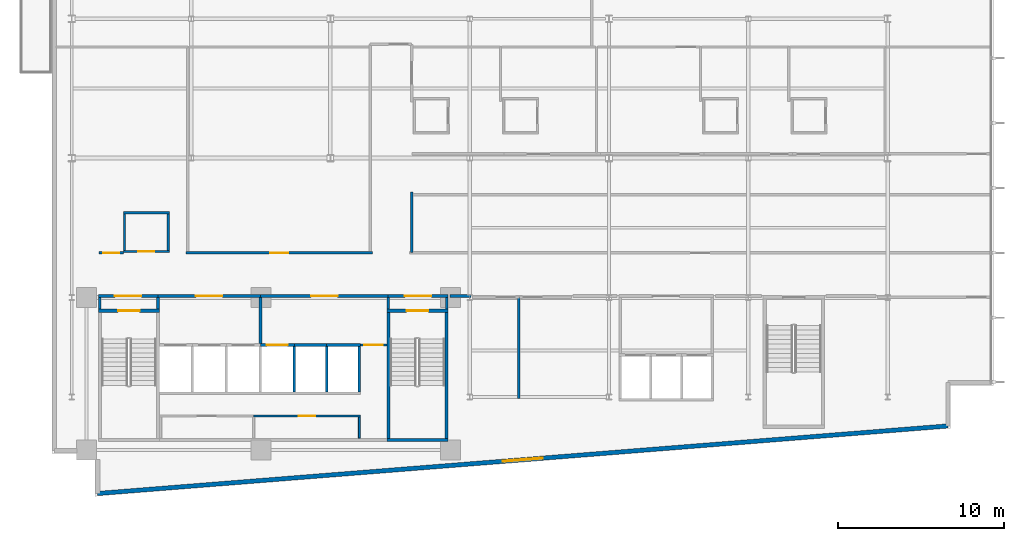
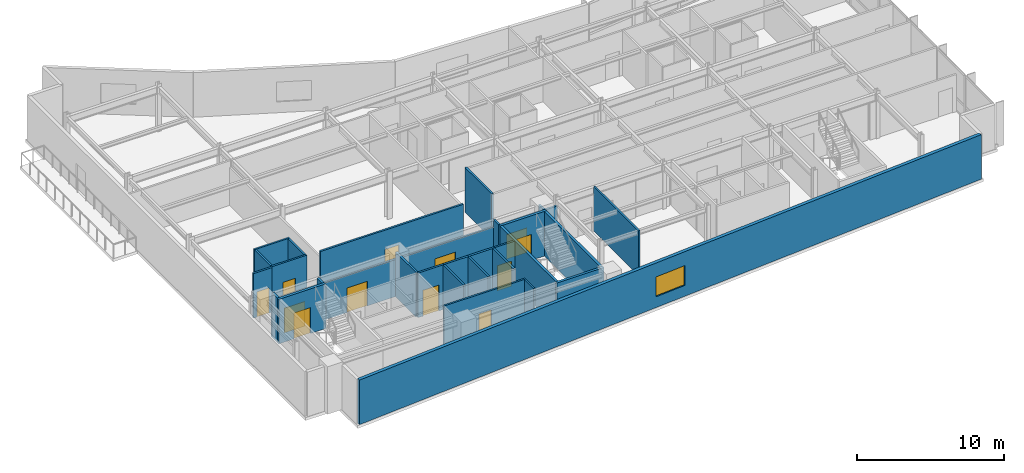
# One storey, part 10 of 18: 33 walls, 12 doors, 1 window, 13 openings.
"""IFC4 building model written with IfcOpenShell, lengths in metres."""

from ifc_helpers import new_model, si_unit, direction, frame, frame_2d, origin, place, context, subcontext, project, spatial, rectangle, extrude, material, layer, layer_set, type_object, element, fill, save


model = new_model("IFC4")

# Units and contexts
model_context = context("Model", 3, precision=1e-05, world=origin(), true_north=direction((0.0, 1.0)))
body_context = subcontext(model_context, "Body", "Model", "MODEL_VIEW")
ifc_project = project(units=[si_unit("LENGTHUNIT", "METRE"), si_unit("AREAUNIT", "SQUARE_METRE"), si_unit("VOLUMEUNIT", "CUBIC_METRE"), si_unit("PLANEANGLEUNIT", "RADIAN"), si_unit("MASSUNIT", "GRAM", prefix="KILO")], contexts=[model_context])

# Site, building, storey
site_placement = place(None, origin())
site = spatial("IfcSite", under=ifc_project, at=site_placement, CompositionType="ELEMENT")
building_placement = place(site_placement, origin())
building = spatial("IfcBuilding", under=site, at=building_placement, Name="Varnakote Quay Hospital", CompositionType="ELEMENT")
storey_placement = place(building_placement, frame((0.0, 0.0, 142.85009765625)))
storey = spatial("IfcBuildingStorey", under=building, at=storey_placement, Name="L35", CompositionType="ELEMENT", Elevation=142.85009765625)

# Wall
ifc_material_1 = material(Name="Fire-rated acoustic gypsum stud wall", Category="gypsum")
ifc_layer_1 = layer(ifc_material_1, 0.159912109375)
ifc_layer_set_1 = layer_set([ifc_layer_1], Name="Fire-rated acoustic gypsum stud wall")
wall_type_1 = type_object("IfcWallType", Name="WL-COMP-160", PredefinedType="PARTITIONING", material=ifc_layer_set_1)
wall_1_placement = place(storey_placement, frame((2.8798828125, 11.300048828125, 0.0), z_axis=(0.0, 0.0, 1.0), x_axis=(0.0, 1.0, 0.0)))
element("IfcWall", 1, at=wall_1_placement, inside=storey, type_object=wall_type_1, Name="L35 West Stair Vestibule West Wall", PredefinedType="PARTITIONING", context=body_context, shape_type="SweptSolid", body=[
    extrude(rectangle(XDim=0.699951171875, YDim=0.159912109375, at=frame_2d((0.35009765625, 0.0))), origin(), (0.0, 0.0, 1.0), 3.7099609375),
])

# Wall, opening, door
wall_2_placement = place(storey_placement, frame((2.800048828125, 12.080078125, 0.0), z_axis=(0.0, 0.0, 1.0), x_axis=(1.0, 0.0, 0.0)))
wall_2 = element("IfcWall", 2, at=wall_2_placement, inside=storey, type_object=wall_type_1, Name="L35 West Stair Vestibule Smoke Wall", PredefinedType="PARTITIONING", context=body_context, shape_type="SweptSolid", body=[
    extrude(rectangle(XDim=3.599853515625, YDim=0.159912109375, at=frame_2d((1.7998046875, 0.0))), origin(), (0.0, 0.0, 1.0), 3.0830078125),
])
opening_1_placement = place(wall_2_placement, frame((1.0, 0.0, 0.0)))
opening_1 = element("IfcOpeningElement", 3, at=opening_1_placement, cuts=wall_2, Name="Opening D-ST1L-L35", PredefinedType="OPENING", context=body_context, shape_type="SweptSolid", body=[
    extrude(rectangle(XDim=1.60009765625, YDim=2.050048828125, at=frame_2d((0.800048828125, 1.02490234375))), frame((0.0, 0.08984375, 0.0), z_axis=(0.0, -1.0, 0.0), x_axis=(1.0, 0.0, 0.0)), (0.0, 0.0, 1.0), 0.179931640625),
])
ifc_material_2 = material(Name="Fire-rated double smoke lobby door")
door_type_1 = type_object("IfcDoorType", Name="DR-LOBBY-FD60S-1600x2150", OperationType="NOTDEFINED", PredefinedType="DOOR", material=ifc_material_2)
door_1_placement = place(opening_1_placement, origin())
door_1 = element("IfcDoor", 4, at=door_1_placement, inside=storey, type_object=door_type_1, Name="L35 West Stair Vestibule Smoke Door", OperationType="DOUBLE_DOOR_SINGLE_SWING", OverallHeight=2.050048828125, OverallWidth=1.60009765625, PredefinedType="DOOR", context=body_context, shape_type="SweptSolid", body=[
    extrude(rectangle(XDim=1.60009765625, YDim=2.050048828125, at=frame_2d((0.800048828125, 1.02490234375))), frame((0.0, 0.02490234375, 0.0), z_axis=(0.0, -1.0, 0.0), x_axis=(1.0, 0.0, 0.0)), (0.0, 0.0, 1.0), 0.050048828125),
])
fill(opening_1, door_1)

# Wall
wall_3_placement = place(storey_placement, frame((6.39990234375, 11.300048828125, 0.0), z_axis=(0.0, 0.0, 1.0), x_axis=(0.0, 1.0, 0.0)))
element("IfcWall", 5, at=wall_3_placement, inside=storey, type_object=wall_type_1, Name="L35 Firefighting Lobby West Wall", PredefinedType="PARTITIONING", context=body_context, shape_type="SweptSolid", body=[
    extrude(rectangle(XDim=0.699951171875, YDim=0.159912109375, at=frame_2d((0.35009765625, 0.0))), origin(), (0.0, 0.0, 1.0), 3.7099609375),
])

# Wall, opening, door
wall_4_placement = place(storey_placement, frame((6.39990234375, 12.080078125, 0.0), z_axis=(0.0, 0.0, 1.0), x_axis=(1.0, 0.0, 0.0)))
wall_4 = element("IfcWall", 6, at=wall_4_placement, inside=storey, type_object=wall_type_1, Name="L35 Firefighting Lift Lobby Compartment Wall", PredefinedType="PARTITIONING", context=body_context, shape_type="SweptSolid", body=[
    extrude(rectangle(XDim=6.18017578125, YDim=0.159912109375, at=frame_2d((3.090087890625, 0.0))), origin(), (0.0, 0.0, 1.0), 3.0830078125),
])
opening_2_placement = place(wall_4_placement, frame((2.2900390625, 0.0, 0.0)))
opening_2 = element("IfcOpeningElement", 7, at=opening_2_placement, cuts=wall_4, Name="Opening D-FFL-L35", PredefinedType="OPENING", context=body_context, shape_type="SweptSolid", body=[
    extrude(rectangle(XDim=1.60009765625, YDim=2.050048828125, at=frame_2d((0.800048828125, 1.02490234375))), frame((0.0, 0.08984375, 0.0), z_axis=(0.0, -1.0, 0.0), x_axis=(1.0, 0.0, 0.0)), (0.0, 0.0, 1.0), 0.179931640625),
])
door_2_placement = place(opening_2_placement, origin())
door_2 = element("IfcDoor", 8, at=door_2_placement, inside=storey, type_object=door_type_1, Name="L35 Firefighting Smoke Vestibule Door", OperationType="DOUBLE_DOOR_SINGLE_SWING", OverallHeight=2.050048828125, OverallWidth=1.60009765625, PredefinedType="DOOR", context=body_context, shape_type="SweptSolid", body=[
    extrude(rectangle(XDim=1.60009765625, YDim=2.050048828125, at=frame_2d((0.800048828125, 1.02490234375))), frame((0.0, 0.02490234375, 0.0), z_axis=(0.0, -1.0, 0.0), x_axis=(1.0, 0.0, 0.0)), (0.0, 0.0, 1.0), 0.050048828125),
])
fill(opening_2, door_2)

# Wall
wall_5_placement = place(storey_placement, frame((12.580078125, 9.2099609375, 0.0), z_axis=(0.0, 0.0, 1.0), x_axis=(0.0, 1.0, 0.0)))
element("IfcWall", 9, at=wall_5_placement, inside=storey, type_object=wall_type_1, Name="L35 Firefighting to Service Lobby Wall", PredefinedType="PARTITIONING", context=body_context, shape_type="SweptSolid", body=[
    extrude(rectangle(XDim=2.7900390625, YDim=0.159912109375, at=frame_2d((1.39501953125, 0.0))), origin(), (0.0, 0.0, 1.0), 3.7099609375),
])

# Wall, opening, door
wall_6_placement = place(storey_placement, frame((12.580078125, 12.080078125, 0.0), z_axis=(0.0, 0.0, 1.0), x_axis=(1.0, 0.0, 0.0)))
wall_6 = element("IfcWall", 10, at=wall_6_placement, inside=storey, type_object=wall_type_1, Name="L35 Clinical Bed Lift Lobby Wall", PredefinedType="PARTITIONING", context=body_context, shape_type="SweptSolid", body=[
    extrude(rectangle(XDim=7.699951171875, YDim=0.159912109375, at=frame_2d((3.85009765625, 0.0))), origin(), (0.0, 0.0, 1.0), 3.0830078125),
])
opening_3_placement = place(wall_6_placement, frame((3.050048828125, 0.0, 0.0)))
opening_3 = element("IfcOpeningElement", 11, at=opening_3_placement, cuts=wall_6, Name="Opening D-SVL-L35", PredefinedType="OPENING", context=body_context, shape_type="SweptSolid", body=[
    extrude(rectangle(XDim=1.60009765625, YDim=2.050048828125, at=frame_2d((0.800048828125, 1.02490234375))), frame((0.0, 0.08984375, 0.0), z_axis=(0.0, -1.0, 0.0), x_axis=(1.0, 0.0, 0.0)), (0.0, 0.0, 1.0), 0.179931640625),
])
door_3_placement = place(opening_3_placement, origin())
door_3 = element("IfcDoor", 12, at=door_3_placement, inside=storey, type_object=door_type_1, Name="L35 Clinical Core Smoke Vestibule Door", OperationType="DOUBLE_DOOR_SINGLE_SWING", OverallHeight=2.050048828125, OverallWidth=1.60009765625, PredefinedType="DOOR", context=body_context, shape_type="SweptSolid", body=[
    extrude(rectangle(XDim=1.60009765625, YDim=2.050048828125, at=frame_2d((0.800048828125, 1.02490234375))), frame((0.0, 0.02490234375, 0.0), z_axis=(0.0, -1.0, 0.0), x_axis=(1.0, 0.0, 0.0)), (0.0, 0.0, 1.0), 0.050048828125),
])
fill(opening_3, door_3)

# Wall
wall_7_placement = place(storey_placement, frame((20.280029296875, 11.300048828125, 0.0), z_axis=(0.0, 0.0, 1.0), x_axis=(0.0, 1.0, 0.0)))
element("IfcWall", 13, at=wall_7_placement, inside=storey, type_object=wall_type_1, Name="L35 East Stair Vestibule Divider Wall", PredefinedType="PARTITIONING", context=body_context, shape_type="SweptSolid", body=[
    extrude(rectangle(XDim=0.699951171875, YDim=0.159912109375, at=frame_2d((0.35009765625, 0.0))), origin(), (0.0, 0.0, 1.0), 3.7099609375),
])

# Wall, opening, door
wall_8_placement = place(storey_placement, frame((20.280029296875, 12.080078125, 0.0), z_axis=(0.0, 0.0, 1.0), x_axis=(1.0, 0.0, 0.0)))
wall_8 = element("IfcWall", 14, at=wall_8_placement, inside=storey, type_object=wall_type_1, Name="L35 East Stair Vestibule Smoke Wall", PredefinedType="PARTITIONING", context=body_context, shape_type="SweptSolid", body=[
    extrude(rectangle(XDim=3.619873046875, YDim=0.159912109375, at=frame_2d((1.81005859375, 0.0))), origin(), (0.0, 0.0, 1.0), 3.0830078125),
])
opening_4_placement = place(wall_8_placement, frame((1.010009765625, 0.0, 0.0)))
opening_4 = element("IfcOpeningElement", 15, at=opening_4_placement, cuts=wall_8, Name="Opening D-ST2L-L35", PredefinedType="OPENING", context=body_context, shape_type="SweptSolid", body=[
    extrude(rectangle(XDim=1.60009765625, YDim=2.050048828125, at=frame_2d((0.800048828125, 1.02490234375))), frame((0.0, 0.08984375, 0.0), z_axis=(0.0, -1.0, 0.0), x_axis=(1.0, 0.0, 0.0)), (0.0, 0.0, 1.0), 0.179931640625),
])
door_4_placement = place(opening_4_placement, origin())
door_4 = element("IfcDoor", 16, at=door_4_placement, inside=storey, type_object=door_type_1, Name="L35 East Stair Vestibule Smoke Door", OperationType="DOUBLE_DOOR_SINGLE_SWING", OverallHeight=2.050048828125, OverallWidth=1.60009765625, PredefinedType="DOOR", context=body_context, shape_type="SweptSolid", body=[
    extrude(rectangle(XDim=1.60009765625, YDim=2.050048828125, at=frame_2d((0.800048828125, 1.02490234375))), frame((0.0, 0.02490234375, 0.0), z_axis=(0.0, -1.0, 0.0), x_axis=(1.0, 0.0, 0.0)), (0.0, 0.0, 1.0), 0.050048828125),
])
fill(opening_4, door_4)

# Walls
wall_9_placement = place(storey_placement, frame((23.820068359375, 11.300048828125, 0.0), z_axis=(0.0, 0.0, 1.0), x_axis=(0.0, 1.0, 0.0)))
element("IfcWall", 17, at=wall_9_placement, inside=storey, type_object=wall_type_1, Name="L35 East Stair Vestibule East Wall", PredefinedType="PARTITIONING", context=body_context, shape_type="SweptSolid", body=[
    extrude(rectangle(XDim=0.699951171875, YDim=0.159912109375, at=frame_2d((0.35009765625, 0.0))), origin(), (0.0, 0.0, 1.0), 3.7099609375),
])
wall_10_placement = place(storey_placement, frame((24.02001953125, 12.080078125, 0.0), z_axis=(0.0, 0.0, 1.0), x_axis=(1.0, 0.0, 0.0)))
element("IfcWall", 18, at=wall_10_placement, inside=storey, type_object=wall_type_1, Name="L35 Corridor South Gap Wall", PredefinedType="PARTITIONING", context=body_context, shape_type="SweptSolid", body=[
    extrude(rectangle(XDim=1.244140625, YDim=0.159912109375, at=frame_2d((0.6220703125, 0.0))), origin(), (0.0, 0.0, 1.0), 3.0830078125),
])

# Wall, opening, window
ifc_material_3 = material(Name="Precast concrete N50 (f'c 50 MPa)", Category="concrete")
ifc_layer_2 = layer(ifc_material_3, 0.260009765625)
ifc_layer_set_2 = layer_set([ifc_layer_2], Name="Precast concrete N50 (f'c 50 MPa)")
wall_type_2 = type_object("IfcWallType", Name="WL-EXT-BRICK-260", PredefinedType="STANDARD", material=ifc_layer_set_2)
wall_11_placement = place(storey_placement, frame((2.760009765625, 0.173095703125, 0.0), z_axis=(0.0, 0.0, 1.0), x_axis=(0.996857931723, 0.079210251617, 0.0)))
wall_11 = element("IfcWall", 19, at=wall_11_placement, inside=storey, type_object=wall_type_2, Name="L35 Brick-Faced Precast Exterior Wall", PredefinedType="STANDARD", context=body_context, shape_type="SweptSolid", body=[
    extrude(rectangle(XDim=51.441650390625, YDim=0.260009765625, at=frame_2d((25.720703125, 0.0))), origin(), (0.0, 0.0, 1.0), 3.7099609375),
])
opening_5_placement = place(wall_11_placement, frame((24.520751953125, 0.0, 0.89990234375)))
opening_5 = element("IfcOpeningElement", 20, at=opening_5_placement, cuts=wall_11, Name="Opening WN-0150", PredefinedType="OPENING", context=body_context, shape_type="SweptSolid", body=[
    extrude(rectangle(XDim=2.39990234375, YDim=1.64990234375, at=frame_2d((1.199951171875, 0.824951171875))), frame((0.0, 0.139892578125, 0.0), z_axis=(0.0, -1.0, 0.0), x_axis=(1.0, 0.0, 0.0)), (0.0, 0.0, 1.0), 0.280029296875),
])
ifc_material_4 = material(Name="Double-glazed low-E solar glass", Category="glass")
window_type = type_object("IfcWindowType", Name="WIN-CLIN-2400x1650", PartitioningType="SINGLE_PANEL", PredefinedType="WINDOW", material=ifc_material_4)
window_placement = place(opening_5_placement, origin())
window = element("IfcWindow", 21, at=window_placement, inside=storey, type_object=window_type, Name="L35 Solar-Control Clinical Window", OverallHeight=1.64990234375, OverallWidth=2.39990234375, PartitioningType="SINGLE_PANEL", PredefinedType="WINDOW", context=body_context, shape_type="SweptSolid", body=[
    extrude(rectangle(XDim=2.39990234375, YDim=1.64990234375, at=frame_2d((1.199951171875, 0.824951171875))), frame((0.0, 0.030029296875, 0.0), z_axis=(0.0, -1.0, 0.0), x_axis=(1.0, 0.0, 0.0)), (0.0, 0.0, 1.0), 0.06005859375),
])
fill(opening_5, window)

# Walls
ifc_material_5 = material(Name="Concrete N50 (f'c 50 MPa)", Category="concrete")
ifc_layer_3 = layer(ifc_material_5, 0.14990234375)
ifc_layer_set_3 = layer_set([ifc_layer_3], Name="Concrete N50 (f'c 50 MPa)")
wall_type_3 = type_object("IfcWallType", Name="WL-SHAFT-N50-150", PredefinedType="SHEAR", material=ifc_layer_set_3)
for number, where, z_axis, x_axis, name in (
    (22, (14.625, 6.300048828125, 0.0), (0.0, 0.0, 1.0), (0.0, 1.0, 0.0), "L35 LF-SV2 Hoistway Divider Wall"),
    (23, (16.574951171875, 6.300048828125, 0.0), (0.0, 0.0, 1.0), (0.0, 1.0, 0.0), "L35 LF-PH1 Hoistway Divider Wall"),
):
    element("IfcWall", number, at=place(storey_placement, frame(where, z_axis=z_axis, x_axis=x_axis)), inside=storey, type_object=wall_type_3, Name=name, PredefinedType="SHEAR", context=body_context, shape_type="SweptSolid", body=[
        extrude(rectangle(XDim=2.75, YDim=0.14990234375, at=frame_2d((1.375, 0.0))), origin(), (0.0, 0.0, 1.0), 3.7099609375),
    ])
ifc_material_6 = material(Name="Concrete N50 (f'c 50 MPa)", Category="concrete")
ifc_layer_4 = layer(ifc_material_6, 0.159912109375)
ifc_layer_set_4 = layer_set([ifc_layer_4], Name="Concrete N50 (f'c 50 MPa)")
wall_type_4 = type_object("IfcWallType", Name="WL-SHAFT-N50-160", PredefinedType="SHEAR", material=ifc_layer_set_4)
wall_12_placement = place(storey_placement, frame((18.530029296875, 6.300048828125, 0.0), z_axis=(0.0, 0.0, 1.0), x_axis=(0.0, 1.0, 0.0)))
element("IfcWall", 24, at=wall_12_placement, inside=storey, type_object=wall_type_4, Name="L35 REAR Lift Bank East Shear Wall", PredefinedType="SHEAR", context=body_context, shape_type="SweptSolid", body=[
    extrude(rectangle(XDim=2.75, YDim=0.159912109375, at=frame_2d((1.375, 0.0))), origin(), (0.0, 0.0, 1.0), 3.7099609375),
])

# Wall, opening, door
wall_13_placement = place(storey_placement, frame((12.574951171875, 9.1298828125, 0.0), z_axis=(0.0, 0.0, 1.0), x_axis=(1.0, 0.0, 0.0)))
wall_13 = element("IfcWall", 25, at=wall_13_placement, inside=storey, type_object=wall_type_4, Name="L35 LF-SV2 Hoistway Front Wall", PredefinedType="SHEAR", context=body_context, shape_type="SweptSolid", body=[
    extrude(rectangle(XDim=2.050048828125, YDim=0.159912109375, at=frame_2d((1.02490234375, 0.0))), origin(), (0.0, 0.0, 1.0), 3.7099609375),
])
opening_6_placement = place(wall_13_placement, frame((0.39990234375, 0.0, 0.0)))
opening_6 = element("IfcOpeningElement", 26, at=opening_6_placement, cuts=wall_13, Name="Opening LD-SV2-L35", PredefinedType="OPENING", context=body_context, shape_type="SweptSolid", body=[
    extrude(rectangle(XDim=1.25, YDim=2.14990234375, at=frame_2d((0.625, 1.074951171875))), frame((0.0, 0.08984375, 0.0), z_axis=(0.0, -1.0, 0.0), x_axis=(1.0, 0.0, 0.0)), (0.0, 0.0, 1.0), 0.179931640625),
])
ifc_material_7 = material(Name="Stainless steel lift landing sliding door", Category="steel")
door_type_2 = type_object("IfcDoorType", Name="DR-LIFT-LD-1250x2150", OperationType="NOTDEFINED", PredefinedType="DOOR", material=ifc_material_7)
door_5_placement = place(opening_6_placement, origin())
door_5 = element("IfcDoor", 27, at=door_5_placement, inside=storey, type_object=door_type_2, Name="L35 LF-SV2 Lift Landing Sliding Door", OperationType="SLIDING_TO_LEFT", OverallHeight=2.14990234375, OverallWidth=1.25, PredefinedType="DOOR", context=body_context, shape_type="SweptSolid", body=[
    extrude(rectangle(XDim=1.25, YDim=2.14990234375, at=frame_2d((0.625, 1.074951171875))), frame((0.0, 0.02490234375, 0.0), z_axis=(0.0, -1.0, 0.0), x_axis=(1.0, 0.0, 0.0)), (0.0, 0.0, 1.0), 0.050048828125),
])
fill(opening_6, door_5)

# Walls
wall_14_placement = place(storey_placement, frame((14.625, 9.1298828125, 0.0), z_axis=(0.0, 0.0, 1.0), x_axis=(1.0, 0.0, 0.0)))
element("IfcWall", 28, at=wall_14_placement, inside=storey, type_object=wall_type_4, Name="L35 LF-PH1 Hoistway Front Wall", PredefinedType="SHEAR", context=body_context, shape_type="SweptSolid", body=[
    extrude(rectangle(XDim=1.949951171875, YDim=0.159912109375, at=frame_2d((0.97509765625, 0.0))), origin(), (0.0, 0.0, 1.0), 3.7099609375),
])
wall_15_placement = place(storey_placement, frame((16.574951171875, 9.1298828125, 0.0), z_axis=(0.0, 0.0, 1.0), x_axis=(1.0, 0.0, 0.0)))
element("IfcWall", 29, at=wall_15_placement, inside=storey, type_object=wall_type_4, Name="L35 LF-PH2 Hoistway Front Wall", PredefinedType="SHEAR", context=body_context, shape_type="SweptSolid", body=[
    extrude(rectangle(XDim=2.03515625, YDim=0.159912109375, at=frame_2d((1.017578125, 0.0))), origin(), (0.0, 0.0, 1.0), 3.7099609375),
])

# Wall, opening, door
ifc_material_8 = material(Name="Concrete N50 (f'c 50 MPa)", Category="concrete")
ifc_layer_5 = layer(ifc_material_8, 0.199951171875)
ifc_layer_set_5 = layer_set([ifc_layer_5], Name="Concrete N50 (f'c 50 MPa)")
wall_type_5 = type_object("IfcWallType", Name="WL-SHAFT-N50-200", PredefinedType="SHEAR", material=ifc_layer_set_5)
wall_16_placement = place(storey_placement, frame((2.800048828125, 11.199951171875, 0.0), z_axis=(0.0, 0.0, 1.0), x_axis=(1.0, 0.0, 0.0)))
wall_16 = element("IfcWall", 30, at=wall_16_placement, inside=storey, type_object=wall_type_5, Name="L35 Stair ST1 Exit Wall", PredefinedType="SHEAR", context=body_context, shape_type="SweptSolid", body=[
    extrude(rectangle(XDim=3.699951171875, YDim=0.199951171875, at=frame_2d((1.85009765625, 0.0))), origin(), (0.0, 0.0, 1.0), 3.7099609375),
])
opening_7_placement = place(wall_16_placement, frame((1.199951171875, 0.0, 0.0)))
opening_7 = element("IfcOpeningElement", 31, at=opening_7_placement, cuts=wall_16, Name="Opening D-ST1-L35", PredefinedType="OPENING", context=body_context, shape_type="SweptSolid", body=[
    extrude(rectangle(XDim=1.300048828125, YDim=2.14990234375, at=frame_2d((0.64990234375, 1.074951171875))), frame((0.0, 0.10986328125, 0.0), z_axis=(0.0, -1.0, 0.0), x_axis=(1.0, 0.0, 0.0)), (0.0, 0.0, 1.0), 0.219970703125),
])
ifc_material_9 = material(Name="Fire-rated ceramic-glazed timber exit door", Category="wood")
door_type_3 = type_object("IfcDoorType", Name="DR-STAIR-FD60S-1300x2150", OperationType="NOTDEFINED", PredefinedType="DOOR", material=ifc_material_9)
door_6_placement = place(opening_7_placement, origin())
door_6 = element("IfcDoor", 32, at=door_6_placement, inside=storey, type_object=door_type_3, Name="L35 Stair ST1 Fire Exit Door", OperationType="SINGLE_SWING_RIGHT", OverallHeight=2.14990234375, OverallWidth=1.300048828125, PredefinedType="DOOR", context=body_context, shape_type="SweptSolid", body=[
    extrude(rectangle(XDim=1.300048828125, YDim=2.14990234375, at=frame_2d((0.64990234375, 1.074951171875))), frame((0.0, 0.02490234375, 0.0), z_axis=(0.0, -1.0, 0.0), x_axis=(1.0, 0.0, 0.0)), (0.0, 0.0, 1.0), 0.050048828125),
])
fill(opening_7, door_6)

# Walls
wall_17_placement = place(storey_placement, frame((20.199951171875, 3.39990234375, 0.0), z_axis=(0.0, 0.0, 1.0), x_axis=(1.0, 0.0, 0.0)))
element("IfcWall", 33, at=wall_17_placement, inside=storey, type_object=wall_type_5, Name="L35 Stair ST2 South Shaft Wall", PredefinedType="SHEAR", context=body_context, shape_type="SweptSolid", body=[
    extrude(rectangle(XDim=3.699951171875, YDim=0.199951171875, at=frame_2d((1.85009765625, 0.0))), origin(), (0.0, 0.0, 1.0), 3.7099609375),
])
for number, where, z_axis, x_axis, name in (
    (34, (20.300048828125, 3.5, 0.0), (0.0, 0.0, 1.0), (0.0, 1.0, 0.0), "L35 Stair ST2 West Shaft Wall"),
    (35, (23.800048828125, 3.5, 0.0), (0.0, 0.0, 1.0), (0.0, 1.0, 0.0), "L35 Stair ST2 East Shaft Wall"),
):
    element("IfcWall", number, at=place(storey_placement, frame(where, z_axis=z_axis, x_axis=x_axis)), inside=storey, type_object=wall_type_5, Name=name, PredefinedType="SHEAR", context=body_context, shape_type="SweptSolid", body=[
        extrude(rectangle(XDim=7.60009765625, YDim=0.199951171875, at=frame_2d((3.800048828125, 0.0))), origin(), (0.0, 0.0, 1.0), 3.7099609375),
    ])

# Wall, opening, door
wall_18_placement = place(storey_placement, frame((20.199951171875, 11.199951171875, 0.0), z_axis=(0.0, 0.0, 1.0), x_axis=(1.0, 0.0, 0.0)))
wall_18 = element("IfcWall", 36, at=wall_18_placement, inside=storey, type_object=wall_type_5, Name="L35 Stair ST2 Exit Wall", PredefinedType="SHEAR", context=body_context, shape_type="SweptSolid", body=[
    extrude(rectangle(XDim=3.699951171875, YDim=0.199951171875, at=frame_2d((1.85009765625, 0.0))), origin(), (0.0, 0.0, 1.0), 3.7099609375),
])
opening_8_placement = place(wall_18_placement, frame((1.199951171875, 0.0, 0.0)))
opening_8 = element("IfcOpeningElement", 37, at=opening_8_placement, cuts=wall_18, Name="Opening D-ST2-L35", PredefinedType="OPENING", context=body_context, shape_type="SweptSolid", body=[
    extrude(rectangle(XDim=1.300048828125, YDim=2.14990234375, at=frame_2d((0.64990234375, 1.074951171875))), frame((0.0, 0.10986328125, 0.0), z_axis=(0.0, -1.0, 0.0), x_axis=(1.0, 0.0, 0.0)), (0.0, 0.0, 1.0), 0.219970703125),
])
door_7_placement = place(opening_8_placement, origin())
door_7 = element("IfcDoor", 38, at=door_7_placement, inside=storey, type_object=door_type_3, Name="L35 Stair ST2 Fire Exit Door", OperationType="SINGLE_SWING_LEFT", OverallHeight=2.14990234375, OverallWidth=1.300048828125, PredefinedType="DOOR", context=body_context, shape_type="SweptSolid", body=[
    extrude(rectangle(XDim=1.300048828125, YDim=2.14990234375, at=frame_2d((0.64990234375, 1.074951171875))), frame((0.0, 0.02490234375, 0.0), z_axis=(0.0, -1.0, 0.0), x_axis=(1.0, 0.0, 0.0)), (0.0, 0.0, 1.0), 0.050048828125),
])
fill(opening_8, door_7)

# Walls
ifc_material_10 = material(Name="Smoke-proof clinical partition", Category="gypsum")
ifc_layer_6 = layer(ifc_material_10, 0.1201171875)
ifc_layer_set_6 = layer_set([ifc_layer_6], Name="Smoke-proof clinical partition")
wall_type_6 = type_object("IfcWallType", Name="WL-SMOKE-120", PredefinedType="PARTITIONING", material=ifc_layer_set_6)
wall_19_placement = place(storey_placement, frame((18.5400390625, 3.52001953125, 0.0), z_axis=(0.0, 0.0, 1.0), x_axis=(0.0, 1.0, 0.0)))
element("IfcWall", 39, at=wall_19_placement, inside=storey, type_object=wall_type_6, Name="L35 Core South Service East Wall", PredefinedType="PARTITIONING", context=body_context, shape_type="SweptSolid", body=[
    extrude(rectangle(XDim=1.260009765625, YDim=0.1201171875, at=frame_2d((0.6298828125, 0.0))), origin(), (0.0, 0.0, 1.0), 3.7099609375),
])
ifc_material_11 = material(Name="Smoke-proof clinical partition", Category="gypsum")
ifc_layer_7 = layer(ifc_material_11, 0.135009765625)
ifc_layer_set_7 = layer_set([ifc_layer_7], Name="Smoke-proof clinical partition")
wall_type_7 = type_object("IfcWallType", Name="WL-SMOKE-135", PredefinedType="PARTITIONING", material=ifc_layer_set_7)
wall_20_placement = place(storey_placement, frame((28.159912109375, 5.89990234375, 0.0), z_axis=(0.0, 0.0, 1.0), x_axis=(0.0, 1.0, 0.0)))
element("IfcWall", 40, at=wall_20_placement, inside=storey, type_object=wall_type_7, Name="L35 Clinical Interior Partition", PredefinedType="PARTITIONING", context=body_context, shape_type="SweptSolid", body=[
    extrude(rectangle(XDim=6.10009765625, YDim=0.135009765625, at=frame_2d((3.050048828125, 0.0))), origin(), (0.0, 0.0, 1.0), 3.7099609375),
])

# Wall, opening, door
ifc_material_12 = material(Name="Fire-rated clinical gypsum partition", Category="gypsum")
ifc_layer_8 = layer(ifc_material_12, 0.139892578125)
ifc_layer_set_8 = layer_set([ifc_layer_8], Name="Fire-rated clinical gypsum partition")
wall_type_8 = type_object("IfcWallType", Name="WL-WARD-140", PredefinedType="PARTITIONING", material=ifc_layer_set_8)
wall_21_placement = place(storey_placement, frame((12.169921875, 4.85009765625, 0.0), z_axis=(0.0, 0.0, 1.0), x_axis=(1.0, 0.0, 0.0)))
wall_21 = element("IfcWall", 41, at=wall_21_placement, inside=storey, type_object=wall_type_8, Name="L35 Core Staff Sanitary WC North Wall", PredefinedType="PARTITIONING", context=body_context, shape_type="SweptSolid", body=[
    extrude(rectangle(XDim=6.43017578125, YDim=0.139892578125, at=frame_2d((3.215087890625, 0.0))), origin(), (0.0, 0.0, 1.0), 3.7099609375),
])
opening_9_placement = place(wall_21_placement, frame((2.72509765625, 0.0, 0.0)))
opening_9 = element("IfcOpeningElement", 42, at=opening_9_placement, cuts=wall_21, Name="Opening D-L35-CR02", PredefinedType="OPENING", context=body_context, shape_type="SweptSolid", body=[
    extrude(rectangle(XDim=0.97998046875, YDim=2.10009765625, at=frame_2d((0.489990234375, 1.050048828125))), frame((0.0, 0.079833984375, 0.0), z_axis=(0.0, -1.0, 0.0), x_axis=(1.0, 0.0, 0.0)), (0.0, 0.0, 1.0), 0.159912109375),
])
ifc_material_13 = material(Name="Accessible sanitary compartment door")
door_type_4 = type_object("IfcDoorType", Name="DR-WC-980x2100", OperationType="NOTDEFINED", PredefinedType="DOOR", material=ifc_material_13)
door_8_placement = place(opening_9_placement, origin())
door_8 = element("IfcDoor", 43, at=door_8_placement, inside=storey, type_object=door_type_4, Name="L35 Core Staff Sanitary WC Door", OperationType="SINGLE_SWING_RIGHT", OverallHeight=2.10009765625, OverallWidth=0.97998046875, PredefinedType="DOOR", context=body_context, shape_type="SweptSolid", body=[
    extrude(rectangle(XDim=0.97998046875, YDim=2.10009765625, at=frame_2d((0.489990234375, 1.050048828125))), frame((0.0, 0.02490234375, 0.0), z_axis=(0.0, -1.0, 0.0), x_axis=(1.0, 0.0, 0.0)), (0.0, 0.0, 1.0), 0.050048828125),
])
fill(opening_9, door_8)

wall_22_placement = place(storey_placement, frame((18.610107421875, 9.1298828125, 0.0), z_axis=(0.0, 0.0, 1.0), x_axis=(1.0, 0.0, 0.0)))
wall_22 = element("IfcWall", 44, at=wall_22_placement, inside=storey, type_object=wall_type_8, Name="L35 Core Service Corridor North Door Wall", PredefinedType="PARTITIONING", context=body_context, shape_type="SweptSolid", body=[
    extrude(rectangle(XDim=1.58984375, YDim=0.139892578125, at=frame_2d((0.794921875, 0.0))), origin(), (0.0, 0.0, 1.0), 3.7099609375),
])
opening_10_placement = place(wall_22_placement, frame((0.239990234375, 0.0, 0.0)))
opening_10 = element("IfcOpeningElement", 45, at=opening_10_placement, cuts=wall_22, Name="Opening D-CSRV-L35", PredefinedType="OPENING", context=body_context, shape_type="SweptSolid", body=[
    extrude(rectangle(XDim=1.10009765625, YDim=2.10009765625, at=frame_2d((0.550048828125, 1.050048828125))), frame((0.0, 0.079833984375, 0.0), z_axis=(0.0, -1.0, 0.0), x_axis=(1.0, 0.0, 0.0)), (0.0, 0.0, 1.0), 0.159912109375),
])
ifc_material_14 = material(Name="Acoustic timber clinical consult door", Category="wood")
door_type_5 = type_object("IfcDoorType", Name="DR-CLIN-FD30S-1100x2100", OperationType="NOTDEFINED", PredefinedType="DOOR", material=ifc_material_14)
door_9_placement = place(opening_10_placement, origin())
door_9 = element("IfcDoor", 46, at=door_9_placement, inside=storey, type_object=door_type_5, Name="L35 Core Service Corridor Door", OperationType="SINGLE_SWING_LEFT", OverallHeight=2.10009765625, OverallWidth=1.10009765625, PredefinedType="DOOR", context=body_context, shape_type="SweptSolid", body=[
    extrude(rectangle(XDim=1.10009765625, YDim=2.10009765625, at=frame_2d((0.550048828125, 1.050048828125))), frame((0.0, 0.02490234375, 0.0), z_axis=(0.0, -1.0, 0.0), x_axis=(1.0, 0.0, 0.0)), (0.0, 0.0, 1.0), 0.050048828125),
])
fill(opening_10, door_9)

wall_23_placement = place(storey_placement, frame((4.31005859375, 14.77001953125, 0.0), z_axis=(0.0, 0.0, 1.0), x_axis=(1.0, 0.0, 0.0)))
wall_23 = element("IfcWall", 47, at=wall_23_placement, inside=storey, type_object=wall_type_8, Name="L35 Floor Unisex Accessible WC S Wall", PredefinedType="PARTITIONING", context=body_context, shape_type="SweptSolid", body=[
    extrude(rectangle(XDim=2.780029296875, YDim=0.139892578125, at=frame_2d((1.39013671875, 0.0))), origin(), (0.0, 0.0, 1.0), 3.7099609375),
])
opening_11_placement = place(wall_23_placement, frame((0.89990234375, 0.0, 0.0)))
opening_11 = element("IfcOpeningElement", 48, at=opening_11_placement, cuts=wall_23, Name="Opening D-L35-EW01", PredefinedType="OPENING", context=body_context, shape_type="SweptSolid", body=[
    extrude(rectangle(XDim=0.97998046875, YDim=2.10009765625, at=frame_2d((0.489990234375, 1.050048828125))), frame((0.0, 0.079833984375, 0.0), z_axis=(0.0, -1.0, 0.0), x_axis=(1.0, 0.0, 0.0)), (0.0, 0.0, 1.0), 0.159912109375),
])
door_10_placement = place(opening_11_placement, origin())
door_10 = element("IfcDoor", 49, at=door_10_placement, inside=storey, type_object=door_type_4, Name="L35 Floor Unisex Accessible WC Door", OperationType="SINGLE_SWING_RIGHT", OverallHeight=2.10009765625, OverallWidth=0.97998046875, PredefinedType="DOOR", context=body_context, shape_type="SweptSolid", body=[
    extrude(rectangle(XDim=0.97998046875, YDim=2.10009765625, at=frame_2d((0.489990234375, 1.050048828125))), frame((0.0, 0.02490234375, 0.0), z_axis=(0.0, -1.0, 0.0), x_axis=(1.0, 0.0, 0.0)), (0.0, 0.0, 1.0), 0.050048828125),
])
fill(opening_11, door_10)

# Walls
wall_24_placement = place(storey_placement, frame((4.31005859375, 17.110107421875, 0.0), z_axis=(0.0, 0.0, 1.0), x_axis=(1.0, 0.0, 0.0)))
element("IfcWall", 50, at=wall_24_placement, inside=storey, type_object=wall_type_8, Name="L35 Floor Unisex Accessible WC N Wall", PredefinedType="PARTITIONING", context=body_context, shape_type="SweptSolid", body=[
    extrude(rectangle(XDim=2.780029296875, YDim=0.139892578125, at=frame_2d((1.39013671875, 0.0))), origin(), (0.0, 0.0, 1.0), 3.7099609375),
])
for number, where, z_axis, x_axis, name in (
    (51, (4.3798828125, 14.840087890625, 0.0), (0.0, 0.0, 1.0), (0.0, 1.0, 0.0), "L35 Floor Unisex Accessible WC W Wall"),
    (52, (7.02001953125, 14.840087890625, 0.0), (0.0, 0.0, 1.0), (0.0, 1.0, 0.0), "L35 Floor Unisex Accessible WC E Wall"),
):
    element("IfcWall", number, at=place(storey_placement, frame(where, z_axis=z_axis, x_axis=x_axis)), inside=storey, type_object=wall_type_8, Name=name, PredefinedType="PARTITIONING", context=body_context, shape_type="SweptSolid", body=[
        extrude(rectangle(XDim=2.199951171875, YDim=0.139892578125, at=frame_2d((1.10009765625, 0.0))), origin(), (0.0, 0.0, 1.0), 3.7099609375),
    ])

# Wall, opening, door
ifc_material_15 = material(Name="Fire-rated clinical gypsum partition", Category="gypsum")
ifc_layer_9 = layer(ifc_material_15, 0.14990234375)
ifc_layer_set_9 = layer_set([ifc_layer_9], Name="Fire-rated clinical gypsum partition")
wall_type_9 = type_object("IfcWallType", Name="WL-WARD-150", PredefinedType="PARTITIONING", material=ifc_layer_set_9)
wall_25_placement = place(storey_placement, frame((4.30810546875, 14.679931640625, 0.0), z_axis=(0.0, 0.0, 1.0), x_axis=(-1.0, 0.0, 0.0)))
wall_25 = element("IfcWall", 53, at=wall_25_placement, inside=storey, type_object=wall_type_9, Name="L35 Clinical Interior Partition", PredefinedType="PARTITIONING", context=body_context, shape_type="SweptSolid", body=[
    extrude(rectangle(XDim=1.4580078125, YDim=0.14990234375, at=frame_2d((0.72900390625, 0.0))), origin(), (0.0, 0.0, 1.0), 3.7099609375),
])
opening_12_placement = place(wall_25_placement, frame((0.239013671875, 0.0, 0.0)))
opening_12 = element("IfcOpeningElement", 54, at=opening_12_placement, cuts=wall_25, Name="Opening D-L35-DLNG", PredefinedType="OPENING", context=body_context, shape_type="SweptSolid", body=[
    extrude(rectangle(XDim=0.97998046875, YDim=2.10009765625, at=frame_2d((0.489990234375, 1.050048828125))), frame((0.0, 0.0849609375, 0.0), z_axis=(0.0, -1.0, 0.0), x_axis=(1.0, 0.0, 0.0)), (0.0, 0.0, 1.0), 0.169921875),
])
door_11_placement = place(opening_12_placement, origin())
door_11 = element("IfcDoor", 55, at=door_11_placement, inside=storey, type_object=door_type_4, Name="L35 Waterfront Patient & Family Dayroom Door", OperationType="SINGLE_SWING_RIGHT", OverallHeight=2.10009765625, OverallWidth=0.97998046875, PredefinedType="DOOR", context=body_context, shape_type="SweptSolid", body=[
    extrude(rectangle(XDim=0.97998046875, YDim=2.10009765625, at=frame_2d((0.489990234375, 1.050048828125))), frame((0.0, 0.02490234375, 0.0), z_axis=(0.0, -1.0, 0.0), x_axis=(1.0, 0.0, 0.0)), (0.0, 0.0, 1.0), 0.050048828125),
])
fill(opening_12, door_11)

wall_26_placement = place(storey_placement, frame((19.345947265625, 14.679931640625, 0.0), z_axis=(0.0, 0.0, 1.0), x_axis=(-1.0, 0.0, 0.0)))
wall_26 = element("IfcWall", 56, at=wall_26_placement, inside=storey, type_object=wall_type_9, Name="L35 Clinical Interior Partition", PredefinedType="PARTITIONING", context=body_context, shape_type="SweptSolid", body=[
    extrude(rectangle(XDim=11.251953125, YDim=0.14990234375, at=frame_2d((5.6259765625, 0.0))), origin(), (0.0, 0.0, 1.0), 3.7099609375),
])
opening_13_placement = place(wall_26_placement, frame((5.075927734375, 0.0, 0.0)))
opening_13 = element("IfcOpeningElement", 57, at=opening_13_placement, cuts=wall_26, Name="Opening D-L35-MD01", PredefinedType="OPENING", context=body_context, shape_type="SweptSolid", body=[
    extrude(rectangle(XDim=1.10009765625, YDim=2.10009765625, at=frame_2d((0.550048828125, 1.050048828125))), frame((0.0, 0.0849609375, 0.0), z_axis=(0.0, -1.0, 0.0), x_axis=(1.0, 0.0, 0.0)), (0.0, 0.0, 1.0), 0.169921875),
])
door_12_placement = place(opening_13_placement, origin())
door_12 = element("IfcDoor", 58, at=door_12_placement, inside=storey, type_object=door_type_5, Name="L35 Multidisciplinary Clinical Consultation Suite Door", OperationType="SINGLE_SWING_LEFT", OverallHeight=2.10009765625, OverallWidth=1.10009765625, PredefinedType="DOOR", context=body_context, shape_type="SweptSolid", body=[
    extrude(rectangle(XDim=1.10009765625, YDim=2.10009765625, at=frame_2d((0.550048828125, 1.050048828125))), frame((0.0, 0.02490234375, 0.0), z_axis=(0.0, -1.0, 0.0), x_axis=(1.0, 0.0, 0.0)), (0.0, 0.0, 1.0), 0.050048828125),
])
fill(opening_13, door_12)

# Wall
wall_27_placement = place(storey_placement, frame((21.699951171875, 14.699951171875, 0.0), z_axis=(0.0, 0.0, 1.0), x_axis=(0.0, 1.0, 0.0)))
element("IfcWall", 59, at=wall_27_placement, inside=storey, type_object=wall_type_9, Name="L35 Clinical Interior Partition", PredefinedType="PARTITIONING", context=body_context, shape_type="SweptSolid", body=[
    extrude(rectangle(XDim=3.64599609375, YDim=0.14990234375, at=frame_2d((1.822998046875, 0.0))), origin(), (0.0, 0.0, 1.0), 3.7099609375),
])

save(model, "model.ifc")
